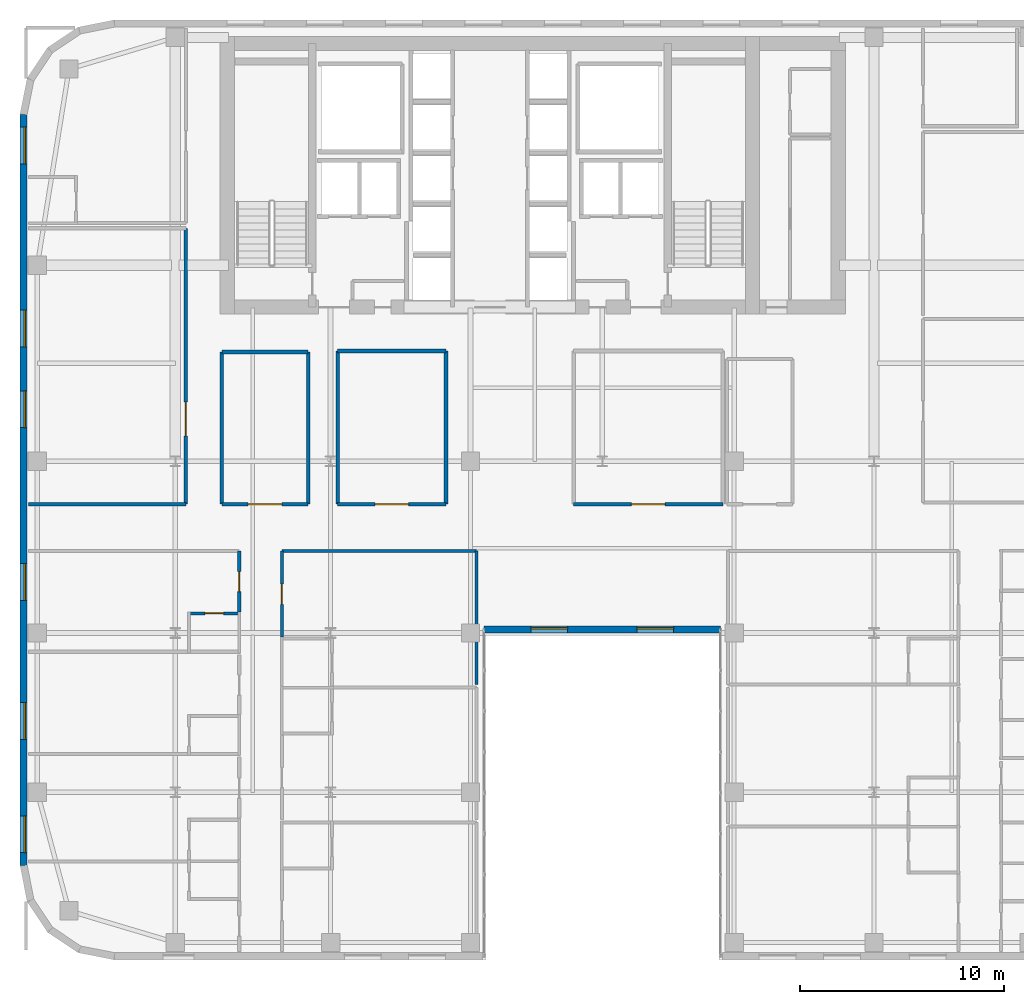
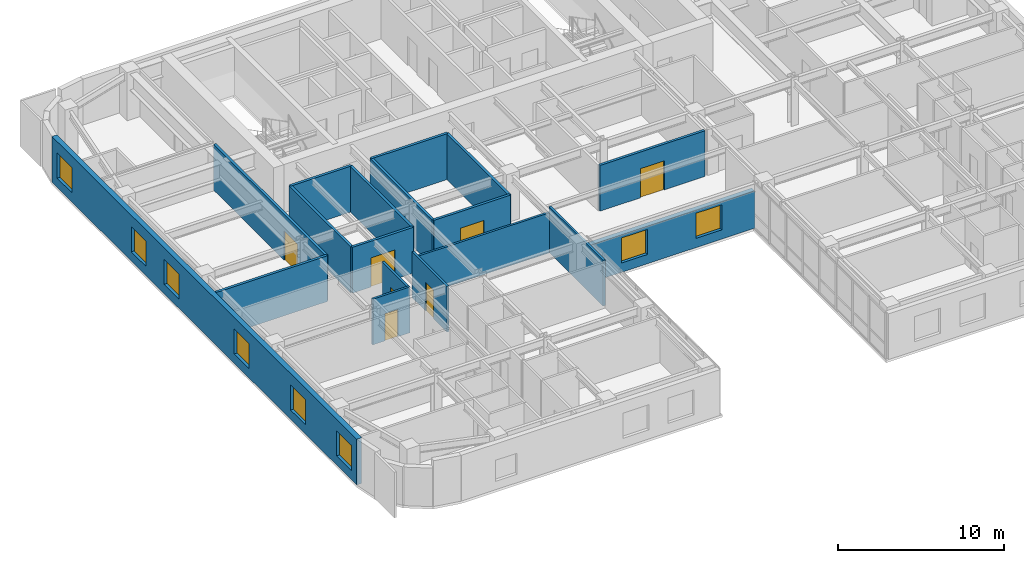
# One storey, part 11 of 17: 18 walls, 8 windows, 7 doors, 15 openings.
"""IFC4 building model written with IfcOpenShell, lengths in metres."""

import ifcopenshell
import ifcopenshell.guid

model = None  # the IFC model being written
_history = None  # IfcOwnerHistory: only IFC2X3 demands one
_inside = {}  # id of a spatial element -> (the spatial element, [elements in it])
_under = {}  # id of a project, library or spatial element -> (it, [spatial elements below it])
_declared = {}  # id of a project -> (the project, [libraries it declares])
_typed = {}  # id of a type object -> (the type object, [elements of that type])
_made_of = {}  # id of a material, layer set ... -> (it, [elements and type objects made of it])


def new_model(schema):
    """Start an empty IFC model of exactly this schema.

    Asked for "IFC4X3", IfcOpenShell would pick the latest addendum, in which some entities
    have other attributes; the version numbers below select the first issue.
    IFC2X3 requires an IfcOwnerHistory on every rooted entity: one is made here for all.
    """
    global model, _history
    if schema == "IFC4X3":
        model = ifcopenshell.file(schema_version=(4, 3, 0, 0))
    else:
        model = ifcopenshell.file(schema=schema)
    _inside.clear()
    _under.clear()
    _declared.clear()
    _typed.clear()
    _made_of.clear()
    _history = None
    if model.schema == "IFC2X3":
        org = make("IfcOrganization", Name="unknown")
        user = make(
            "IfcPersonAndOrganization",
            ThePerson=make("IfcPerson", FamilyName="unknown"),
            TheOrganization=org,
        )
        app = make(
            "IfcApplication",
            ApplicationDeveloper=org,
            Version="unknown",
            ApplicationFullName="unknown",
            ApplicationIdentifier="unknown",
        )
        _history = make(
            "IfcOwnerHistory",
            OwningUser=user,
            OwningApplication=app,
            ChangeAction="ADDED",
            CreationDate=0,
        )
    return model


def make(cls, **values):
    """One entity of the class cls with the attributes given. An attribute that is None is left unset."""
    return model.create_entity(
        cls, **{name: value for name, value in values.items() if value is not None}
    )


def rooted(cls, **values):
    """An entity with a GlobalId (a new one), such as an element, a storey or a relation."""
    return make(cls, GlobalId=ifcopenshell.guid.new(), OwnerHistory=_history, **values)


def si_unit(unit_type, name, prefix=None):
    """IfcSIUnit, for example si_unit("LENGTHUNIT", "METRE", prefix="MILLI")."""
    return make("IfcSIUnit", UnitType=unit_type, Prefix=prefix, Name=name)


def assignment(units):
    """IfcUnitAssignment: the units of a project."""
    return None if units is None else make("IfcUnitAssignment", Units=units)


def point(xyz):
    """IfcCartesianPoint."""
    return None if xyz is None else make("IfcCartesianPoint", Coordinates=xyz)


def direction(xyz):
    """IfcDirection."""
    return None if xyz is None else make("IfcDirection", DirectionRatios=xyz)


def frame(location, z_axis=None, x_axis=None):
    """IfcAxis2Placement3D, a coordinate frame: its origin and axes. An axis left out is left unset."""
    return make(
        "IfcAxis2Placement3D",
        Location=point(location),
        Axis=direction(z_axis),
        RefDirection=direction(x_axis),
    )


def frame_2d(location, x_axis=None):
    """IfcAxis2Placement2D, a coordinate frame in the plane: its origin and x axis."""
    return make(
        "IfcAxis2Placement2D", Location=point(location), RefDirection=direction(x_axis)
    )


def origin():
    """The frame at (0, 0, 0) with its axes left unset."""
    return frame((0.0, 0.0, 0.0))


def place(relative_to, where):
    """IfcLocalPlacement: puts the frame where relative to a parent placement (None: the world)."""
    return make(
        "IfcLocalPlacement", PlacementRelTo=relative_to, RelativePlacement=where
    )


def context(
    kind, dimensions, precision=None, world=None, true_north=None, identifier=None
):
    """IfcGeometricRepresentationContext, for example the 3D "Model" context."""
    return make(
        "IfcGeometricRepresentationContext",
        ContextIdentifier=identifier,
        ContextType=kind,
        CoordinateSpaceDimension=dimensions,
        Precision=precision,
        WorldCoordinateSystem=world,
        TrueNorth=true_north,
    )


def subcontext(parent, identifier, kind, view, scale=None):
    """IfcGeometricRepresentationSubContext, for example "Body" below "Model"."""
    return make(
        "IfcGeometricRepresentationSubContext",
        ContextIdentifier=identifier,
        ContextType=kind,
        ParentContext=parent,
        TargetScale=scale,
        TargetView=view,
    )


def project(units=None, contexts=None):
    """IfcProject with its units and contexts."""
    return rooted(
        "IfcProject",
        Name="project",
        RepresentationContexts=contexts,
        UnitsInContext=assignment(units),
    )


def spatial(cls, under=None, at=None, **own):
    """A site, building, storey or space (cls), placed at a placement, below another one or the project."""
    s = rooted(cls, ObjectPlacement=at, **own)
    if under is not None:
        _under.setdefault(under.id(), (under, []))[1].append(s)
    return s


def profile(cls, at=None, kind="AREA", **sizes):
    """A parametric profile (cls). Its sizes go by their IFC names, for example OverallWidth=200.0."""
    return make(cls, ProfileType=kind, Position=at, **sizes)


def rectangle(**sizes):
    """IfcRectangleProfileDef."""
    return profile("IfcRectangleProfileDef", **sizes)


def extrude(swept, where, along, depth):
    """IfcExtrudedAreaSolid: the profile swept, set in the frame where, extruded along a direction by depth."""
    return make(
        "IfcExtrudedAreaSolid",
        SweptArea=swept,
        Position=where,
        ExtrudedDirection=direction(along),
        Depth=depth,
    )


def shape(context_of_items, identifier, shape_type, items):
    """IfcShapeRepresentation: the items that make up one representation, for example the "Body"."""
    return make(
        "IfcShapeRepresentation",
        ContextOfItems=context_of_items,
        RepresentationIdentifier=identifier,
        RepresentationType=shape_type,
        Items=items,
    )


def source(mapping_origin, context_of_items, identifier, shape_type, items):
    """IfcRepresentationMap: a shape defined once, which mapped items show again and again."""
    return make(
        "IfcRepresentationMap",
        MappingOrigin=mapping_origin,
        MappedRepresentation=shape(context_of_items, identifier, shape_type, items),
    )


def transform(
    local_origin,
    x_axis=None,
    y_axis=None,
    z_axis=None,
    scale=None,
    scale2=None,
    scale3=None,
    uniform=True,
):
    """IfcCartesianTransformationOperator3D, or its non-uniform kind. x_axis, y_axis, z_axis: its Axis1, 2, 3."""
    if uniform:
        return make(
            "IfcCartesianTransformationOperator3D",
            Axis1=direction(x_axis),
            Axis2=direction(y_axis),
            LocalOrigin=point(local_origin),
            Scale=scale,
            Axis3=direction(z_axis),
        )
    return make(
        "IfcCartesianTransformationOperator3DnonUniform",
        Axis1=direction(x_axis),
        Axis2=direction(y_axis),
        LocalOrigin=point(local_origin),
        Scale=scale,
        Axis3=direction(z_axis),
        Scale2=scale2,
        Scale3=scale3,
    )


def mapped(mapping_source, mapping_target):
    """IfcMappedItem: shows the shape of a source again, moved by a transform."""
    return make(
        "IfcMappedItem", MappingSource=mapping_source, MappingTarget=mapping_target
    )


def material(Name=None, Category=None):
    """IfcMaterial."""
    return make("IfcMaterial", Name=Name, Category=Category)


def layer(
    of_material, thickness, ventilated=None, Name=None, Category=None, Priority=None
):
    """IfcMaterialLayer: one layer of a wall or slab, of a material (None: an air gap)."""
    return make(
        "IfcMaterialLayer",
        Material=of_material,
        LayerThickness=thickness,
        IsVentilated=ventilated,
        Name=Name,
        Category=Category,
        Priority=Priority,
    )


def layer_set(layers, Name=None):
    """IfcMaterialLayerSet."""
    return make("IfcMaterialLayerSet", MaterialLayers=layers, LayerSetName=Name)


def made_of(thing, what):
    """Note that an element or type object is made of a material, layer set ...; save() writes the relation."""
    if what is not None:
        _made_of.setdefault(what.id(), (what, []))[1].append(thing)
    return thing


def type_object(cls, material=None, **own):
    """A type object (cls), such as IfcWallType, which elements share."""
    return made_of(rooted(cls, **own), material)


def type_shapes(of_type, sources):
    """Give a type object the sources (RepresentationMaps) that its elements show as mapped items."""
    of_type.RepresentationMaps = sources


def element(
    cls,
    number,
    at=None,
    inside=None,
    cuts=None,
    type_object=None,
    material=None,
    context=None,
    identifier="Body",
    shape_type=None,
    held_by="IfcProductDefinitionShape",
    body=None,
    shapes=None,
    **own,
):
    """One element of the class cls, such as IfcWall. Its Tag is "e" and its number.

    at: its placement. inside: the storey or other place that contains it. cuts: it is an
    opening in that element (IfcRelVoidsElement). A single representation is given by context,
    identifier, shape_type and body (its items); several are given by shapes. held_by: the class
    of the entity that holds the representations. save() writes the other relations.
    """
    e = rooted(cls, Tag="e%d" % number, ObjectPlacement=at, **own)
    if body is not None:
        shapes = [shape(context, identifier, shape_type, body)]
    if shapes is not None:
        e.Representation = make(held_by, Representations=shapes)
    if inside is not None:
        _inside.setdefault(inside.id(), (inside, []))[1].append(e)
    if cuts is not None:
        rooted(
            "IfcRelVoidsElement", RelatingBuildingElement=cuts, RelatedOpeningElement=e
        )
    if type_object is not None:
        _typed.setdefault(type_object.id(), (type_object, []))[1].append(e)
    return made_of(e, material)


def fill(opening, filler):
    """IfcRelFillsElement: the door or window that sits in an opening."""
    return rooted(
        "IfcRelFillsElement",
        RelatingOpeningElement=opening,
        RelatedBuildingElement=filler,
    )


def aggregate(whole, parts):
    """IfcRelAggregates: a whole, such as a stair, and the parts it consists of."""
    return rooted("IfcRelAggregates", RelatingObject=whole, RelatedObjects=parts)


def save(model, path):
    """Write the relations noted so far, then the file.

    IfcRelAggregates (storeys below a building ...), IfcRelContainedInSpatialStructure (elements
    in a storey), IfcRelDefinesByType, IfcRelAssociatesMaterial and IfcRelDeclares: one each for
    every whole, place, type object, material and project.
    """
    for whole, parts in _under.values():
        aggregate(whole, parts)
    for where, things in _inside.values():
        rooted(
            "IfcRelContainedInSpatialStructure",
            RelatedElements=things,
            RelatingStructure=where,
        )
    for kind, things in _typed.values():
        rooted("IfcRelDefinesByType", RelatedObjects=things, RelatingType=kind)
    for what, things in _made_of.values():
        rooted("IfcRelAssociatesMaterial", RelatedObjects=things, RelatingMaterial=what)
    for by, libraries in _declared.values():
        rooted("IfcRelDeclares", RelatingContext=by, RelatedDefinitions=libraries)
    model.write(path)


model = new_model("IFC4")

# Units and contexts
model_context = context("Model", 3, precision=1e-05, world=origin(), true_north=direction((0.0, 1.0)))
body_context = subcontext(model_context, "Body", "Model", "MODEL_VIEW")
ifc_project = project(units=[si_unit("LENGTHUNIT", "METRE"), si_unit("AREAUNIT", "SQUARE_METRE"), si_unit("VOLUMEUNIT", "CUBIC_METRE"), si_unit("PLANEANGLEUNIT", "RADIAN"), si_unit("MASSUNIT", "GRAM", prefix="KILO")], contexts=[model_context])

# Site, building, storey
site_placement = place(None, origin())
site = spatial("IfcSite", under=ifc_project, at=site_placement, CompositionType="ELEMENT")
building_placement = place(site_placement, origin())
building = spatial("IfcBuilding", under=site, at=building_placement, Name="Tolvann Quenvar Hotel", CompositionType="ELEMENT")
storey_placement = place(building_placement, frame((0.0, 0.0, 136.39990234375)))
storey = spatial("IfcBuildingStorey", under=building, at=storey_placement, Name="L35", CompositionType="ELEMENT", Elevation=136.39990234375)

# Wall, openings, windows
ifc_material_1 = material(Name="Kiln-fired red and buff architectural clay brickwork and terracotta masonry", Category="masonry")
ifc_layer_1 = layer(ifc_material_1, 0.35009765625)
ifc_layer_set_1 = layer_set([ifc_layer_1], Name="Kiln-fired red and buff architectural clay brickwork and terracotta masonry")
wall_type_1 = type_object("IfcWallType", Name="WALL_EXT_BRICK_350", PredefinedType="SOLIDWALL", material=ifc_layer_set_1)
wall_1_placement = place(storey_placement, frame((22.7099609375, 16.175048828125, 0.0), z_axis=(0.0, 0.0, 1.0), x_axis=(1.0, 0.0, 0.0)))
wall_1 = element("IfcWall", 1, at=wall_1_placement, inside=storey, type_object=wall_type_1, Name="Exterior Chicago Brick Wall L35-E06", PredefinedType="SOLIDWALL", context=body_context, shape_type="SweptSolid", body=[
    extrude(rectangle(XDim=11.580078125, YDim=0.35009765625, at=frame_2d((5.7900390625, 0.0))), origin(), (0.0, 0.0, 1.0), 2.748046875),
])
opening_1_placement = place(wall_1_placement, frame((2.294921875, 0.0, 0.679931640625)))
opening_1 = element("IfcOpeningElement", 2, at=opening_1_placement, cuts=wall_1, Name="Opening W-03", PredefinedType="OPENING", context=body_context, shape_type="SweptSolid", body=[
    extrude(rectangle(XDim=1.800048828125, YDim=1.85009765625, at=frame_2d((0.89990234375, 0.925048828125))), frame((0.0, 0.18505859375, 0.0), z_axis=(0.0, -1.0, 0.0), x_axis=(1.0, 0.0, 0.0)), (0.0, 0.0, 1.0), 0.3701171875),
])
opening_2_placement = place(wall_1_placement, frame((7.485107421875, 0.0, 0.679931640625)))
opening_2 = element("IfcOpeningElement", 3, at=opening_2_placement, cuts=wall_1, Name="Opening W-03", PredefinedType="OPENING", context=body_context, shape_type="SweptSolid", body=[
    extrude(rectangle(XDim=1.800048828125, YDim=1.85009765625, at=frame_2d((0.89990234375, 0.925048828125))), frame((0.0, 0.18505859375, 0.0), z_axis=(0.0, -1.0, 0.0), x_axis=(1.0, 0.0, 0.0)), (0.0, 0.0, 1.0), 0.3701171875),
])
ifc_material_2 = material(Name="Thermally broken bronze-anodised aluminium frame with double low-E glazing", Category="aluminium")
window_type = type_object("IfcWindowType", Name="WIN_CHI_1800x2050", PartitioningType="TRIPLE_PANEL_HORIZONTAL", PredefinedType="WINDOW", material=ifc_material_2)
shared_shape_1 = source(origin(), body_context, "Body", "SweptSolid", [
    extrude(rectangle(XDim=1.800048828125, YDim=1.85009765625, at=frame_2d((0.89990234375, 0.925048828125))), frame((0.0, 0.090087890625, 0.0), z_axis=(0.0, -1.0, 0.0), x_axis=(1.0, 0.0, 0.0)), (0.0, 0.0, 1.0), 0.06005859375),
])
type_shapes(window_type, [shared_shape_1])
window_1_placement = place(opening_1_placement, origin())
window_1 = element("IfcWindow", 4, at=window_1_placement, inside=storey, type_object=window_type, Name="Chicago Window W-03 (EW-L35-E06-W01)", OverallHeight=1.85009765625, OverallWidth=1.800048828125, PartitioningType="TRIPLE_PANEL_HORIZONTAL", PredefinedType="WINDOW", context=body_context, shape_type="MappedRepresentation", body=[
    mapped(shared_shape_1, transform((0.0, 0.0, 0.0), x_axis=(1.0, 0.0, 0.0), y_axis=(0.0, 1.0, 0.0), z_axis=(0.0, 0.0, 1.0), scale=1.0)),
])
fill(opening_1, window_1)
window_2_placement = place(opening_2_placement, origin())
window_2 = element("IfcWindow", 5, at=window_2_placement, inside=storey, type_object=window_type, Name="Chicago Window W-03 (EW-L35-E06-W02)", OverallHeight=1.85009765625, OverallWidth=1.800048828125, PartitioningType="TRIPLE_PANEL_HORIZONTAL", PredefinedType="WINDOW", context=body_context, shape_type="MappedRepresentation", body=[
    mapped(shared_shape_1, transform((0.0, 0.0, 0.0), x_axis=(1.0, 0.0, 0.0), y_axis=(0.0, 1.0, 0.0), z_axis=(0.0, 0.0, 1.0), scale=1.0)),
])
fill(opening_2, window_2)

wall_2_placement = place(storey_placement, frame((0.175048828125, 41.3828125, 0.0), z_axis=(0.0, 0.0, 1.0), x_axis=(0.0, -1.0, 0.0)))
wall_2 = element("IfcWall", 6, at=wall_2_placement, inside=storey, type_object=wall_type_1, Name="Exterior Chicago Brick Wall L35-E23", PredefinedType="SOLIDWALL", context=body_context, shape_type="SweptSolid", body=[
    extrude(rectangle(XDim=36.765625, YDim=0.35009765625, at=frame_2d((18.3828125, 0.0))), origin(), (0.0, 0.0, 1.0), 3.3701171875),
])
opening_3_placement = place(wall_2_placement, frame((0.6259765625, 0.0, 0.679931640625)))
opening_3 = element("IfcOpeningElement", 7, at=opening_3_placement, cuts=wall_2, Name="Opening W-03", PredefinedType="OPENING", context=body_context, shape_type="SweptSolid", body=[
    extrude(rectangle(XDim=1.800048828125, YDim=1.85009765625, at=frame_2d((0.89990234375, 0.925048828125))), frame((0.0, 0.18505859375, 0.0), z_axis=(0.0, -1.0, 0.0), x_axis=(1.0, 0.0, 0.0)), (0.0, 0.0, 1.0), 0.3701171875),
])
opening_4_placement = place(wall_2_placement, frame((9.5791015625, 0.0, 0.679931640625)))
opening_4 = element("IfcOpeningElement", 8, at=opening_4_placement, cuts=wall_2, Name="Opening W-03", PredefinedType="OPENING", context=body_context, shape_type="SweptSolid", body=[
    extrude(rectangle(XDim=1.800048828125, YDim=1.85009765625, at=frame_2d((0.89990234375, 0.925048828125))), frame((0.0, 0.18505859375, 0.0), z_axis=(0.0, -1.0, 0.0), x_axis=(1.0, 0.0, 0.0)), (0.0, 0.0, 1.0), 0.3701171875),
])
opening_5_placement = place(wall_2_placement, frame((13.531005859375, 0.0, 0.679931640625)))
opening_5 = element("IfcOpeningElement", 9, at=opening_5_placement, cuts=wall_2, Name="Opening W-03", PredefinedType="OPENING", context=body_context, shape_type="SweptSolid", body=[
    extrude(rectangle(XDim=1.800048828125, YDim=1.85009765625, at=frame_2d((0.89990234375, 0.925048828125))), frame((0.0, 0.18505859375, 0.0), z_axis=(0.0, -1.0, 0.0), x_axis=(1.0, 0.0, 0.0)), (0.0, 0.0, 1.0), 0.3701171875),
])
opening_6_placement = place(wall_2_placement, frame((21.985107421875, 0.0, 0.679931640625)))
opening_6 = element("IfcOpeningElement", 10, at=opening_6_placement, cuts=wall_2, Name="Opening W-03", PredefinedType="OPENING", context=body_context, shape_type="SweptSolid", body=[
    extrude(rectangle(XDim=1.800048828125, YDim=1.85009765625, at=frame_2d((0.89990234375, 0.925048828125))), frame((0.0, 0.18505859375, 0.0), z_axis=(0.0, -1.0, 0.0), x_axis=(1.0, 0.0, 0.0)), (0.0, 0.0, 1.0), 0.3701171875),
])
opening_7_placement = place(wall_2_placement, frame((28.7880859375, 0.0, 0.679931640625)))
opening_7 = element("IfcOpeningElement", 11, at=opening_7_placement, cuts=wall_2, Name="Opening W-03", PredefinedType="OPENING", context=body_context, shape_type="SweptSolid", body=[
    extrude(rectangle(XDim=1.800048828125, YDim=1.85009765625, at=frame_2d((0.89990234375, 0.925048828125))), frame((0.0, 0.18505859375, 0.0), z_axis=(0.0, -1.0, 0.0), x_axis=(1.0, 0.0, 0.0)), (0.0, 0.0, 1.0), 0.3701171875),
])
opening_8_placement = place(wall_2_placement, frame((34.340087890625, 0.0, 0.679931640625)))
opening_8 = element("IfcOpeningElement", 12, at=opening_8_placement, cuts=wall_2, Name="Opening W-03", PredefinedType="OPENING", context=body_context, shape_type="SweptSolid", body=[
    extrude(rectangle(XDim=1.800048828125, YDim=1.85009765625, at=frame_2d((0.89990234375, 0.925048828125))), frame((0.0, 0.18505859375, 0.0), z_axis=(0.0, -1.0, 0.0), x_axis=(1.0, 0.0, 0.0)), (0.0, 0.0, 1.0), 0.3701171875),
])
window_3_placement = place(opening_3_placement, origin())
window_3 = element("IfcWindow", 13, at=window_3_placement, inside=storey, type_object=window_type, Name="Chicago Window W-03 (EW-L35-E23-W01)", OverallHeight=1.85009765625, OverallWidth=1.800048828125, PartitioningType="TRIPLE_PANEL_HORIZONTAL", PredefinedType="WINDOW", context=body_context, shape_type="MappedRepresentation", body=[
    mapped(shared_shape_1, transform((0.0, 0.0, 0.0), x_axis=(1.0, 0.0, 0.0), y_axis=(0.0, 1.0, 0.0), z_axis=(0.0, 0.0, 1.0), scale=1.0)),
])
fill(opening_3, window_3)
window_4_placement = place(opening_4_placement, origin())
window_4 = element("IfcWindow", 14, at=window_4_placement, inside=storey, type_object=window_type, Name="Chicago Window W-03 (EW-L35-E23-W02)", OverallHeight=1.85009765625, OverallWidth=1.800048828125, PartitioningType="TRIPLE_PANEL_HORIZONTAL", PredefinedType="WINDOW", context=body_context, shape_type="MappedRepresentation", body=[
    mapped(shared_shape_1, transform((0.0, 0.0, 0.0), x_axis=(1.0, 0.0, 0.0), y_axis=(0.0, 1.0, 0.0), z_axis=(0.0, 0.0, 1.0), scale=1.0)),
])
fill(opening_4, window_4)
window_5_placement = place(opening_5_placement, origin())
window_5 = element("IfcWindow", 15, at=window_5_placement, inside=storey, type_object=window_type, Name="Chicago Window W-03 (EW-L35-E23-W03)", OverallHeight=1.85009765625, OverallWidth=1.800048828125, PartitioningType="TRIPLE_PANEL_HORIZONTAL", PredefinedType="WINDOW", context=body_context, shape_type="MappedRepresentation", body=[
    mapped(shared_shape_1, transform((0.0, 0.0, 0.0), x_axis=(1.0, 0.0, 0.0), y_axis=(0.0, 1.0, 0.0), z_axis=(0.0, 0.0, 1.0), scale=1.0)),
])
fill(opening_5, window_5)
window_6_placement = place(opening_6_placement, origin())
window_6 = element("IfcWindow", 16, at=window_6_placement, inside=storey, type_object=window_type, Name="Chicago Window W-03 (EW-L35-E23-W04)", OverallHeight=1.85009765625, OverallWidth=1.800048828125, PartitioningType="TRIPLE_PANEL_HORIZONTAL", PredefinedType="WINDOW", context=body_context, shape_type="MappedRepresentation", body=[
    mapped(shared_shape_1, transform((0.0, 0.0, 0.0), x_axis=(1.0, 0.0, 0.0), y_axis=(0.0, 1.0, 0.0), z_axis=(0.0, 0.0, 1.0), scale=1.0)),
])
fill(opening_6, window_6)
window_7_placement = place(opening_7_placement, origin())
window_7 = element("IfcWindow", 17, at=window_7_placement, inside=storey, type_object=window_type, Name="Chicago Window W-03 (EW-L35-E23-W05)", OverallHeight=1.85009765625, OverallWidth=1.800048828125, PartitioningType="TRIPLE_PANEL_HORIZONTAL", PredefinedType="WINDOW", context=body_context, shape_type="MappedRepresentation", body=[
    mapped(shared_shape_1, transform((0.0, 0.0, 0.0), x_axis=(1.0, 0.0, 0.0), y_axis=(0.0, 1.0, 0.0), z_axis=(0.0, 0.0, 1.0), scale=1.0)),
])
fill(opening_7, window_7)
window_8_placement = place(opening_8_placement, origin())
window_8 = element("IfcWindow", 18, at=window_8_placement, inside=storey, type_object=window_type, Name="Chicago Window W-03 (EW-L35-E23-W06)", OverallHeight=1.85009765625, OverallWidth=1.800048828125, PartitioningType="TRIPLE_PANEL_HORIZONTAL", PredefinedType="WINDOW", context=body_context, shape_type="MappedRepresentation", body=[
    mapped(shared_shape_1, transform((0.0, 0.0, 0.0), x_axis=(1.0, 0.0, 0.0), y_axis=(0.0, 1.0, 0.0), z_axis=(0.0, 0.0, 1.0), scale=1.0)),
])
fill(opening_8, window_8)

# Wall, opening, door
ifc_material_3 = material(Name="Acoustic twin-stud fire-rated gypsum plasterboard partition")
ifc_layer_2 = layer(ifc_material_3, 0.179931640625)
ifc_layer_set_2 = layer_set([ifc_layer_2], Name="Acoustic twin-stud fire-rated gypsum plasterboard partition")
wall_type_2 = type_object("IfcWallType", Name="WALL_PART_ACOUSTIC_180", PredefinedType="PARTITIONING", material=ifc_layer_set_2)
wall_3_placement = place(storey_placement, frame((8.1201171875, 22.300048828125, 0.0), z_axis=(0.0, 0.0, 1.0), x_axis=(0.0, 1.0, 0.0)))
wall_3 = element("IfcWall", 19, at=wall_3_placement, inside=storey, type_object=wall_type_2, Name="Interior Partition PT-SPC-L35-SAL-ENT", PredefinedType="PARTITIONING", context=body_context, shape_type="SweptSolid", body=[
    extrude(rectangle(XDim=13.5, YDim=0.179931640625, at=frame_2d((6.75, 0.0))), origin(), (0.0, 0.0, 1.0), 3.3701171875),
])
opening_9_placement = place(wall_3_placement, frame((3.35009765625, 0.0, 0.0)))
opening_9 = element("IfcOpeningElement", 20, at=opening_9_placement, cuts=wall_3, Name="Opening AD-01", PredefinedType="OPENING", context=body_context, shape_type="SweptSolid", body=[
    extrude(rectangle(XDim=1.64990234375, YDim=2.14990234375, at=frame_2d((0.824951171875, 1.074951171875))), frame((0.0, 0.10009765625, 0.0), z_axis=(0.0, -1.0, 0.0), x_axis=(1.0, 0.0, 0.0)), (0.0, 0.0, 1.0), 0.199951171875),
])
ifc_material_4 = material(Name="Solid-core American oak acoustic fire door leaf in steel frame", Category="steel")
door_type_1 = type_object("IfcDoorType", Name="DOOR_SALON_1650", OperationType="NOTDEFINED", PredefinedType="DOOR", material=ifc_material_4)
shared_shape_2 = source(origin(), body_context, "Body", "SweptSolid", [
    extrude(rectangle(XDim=1.64990234375, YDim=2.14990234375, at=frame_2d((0.824951171875, 1.074951171875))), frame((0.0, 0.02490234375, 0.0), z_axis=(0.0, -1.0, 0.0), x_axis=(1.0, 0.0, 0.0)), (0.0, 0.0, 1.0), 0.050048828125),
])
type_shapes(door_type_1, [shared_shape_2])
door_1_placement = place(opening_9_placement, origin())
door_1 = element("IfcDoor", 21, at=door_1_placement, inside=storey, type_object=door_type_1, Name="Interior Door DOOR-SPC-L35-SAL", OperationType="DOUBLE_DOOR_SINGLE_SWING", OverallHeight=2.14990234375, OverallWidth=1.64990234375, PredefinedType="DOOR", context=body_context, shape_type="MappedRepresentation", body=[
    mapped(shared_shape_2, transform((0.0, 0.0, 0.0), x_axis=(1.0, 0.0, 0.0), y_axis=(0.0, 1.0, 0.0), z_axis=(0.0, 0.0, 1.0), scale=1.0)),
])
fill(opening_9, door_1)

# Wall
wall_4_placement = place(storey_placement, frame((0.405029296875, 22.300048828125, 0.0), z_axis=(0.0, 0.0, 1.0), x_axis=(1.0, 0.0, 0.0)))
element("IfcWall", 22, at=wall_4_placement, inside=storey, type_object=wall_type_2, Name="Interior Partition PT-SPC-L35-SAL-S", PredefinedType="PARTITIONING", context=body_context, shape_type="SweptSolid", body=[
    extrude(rectangle(XDim=7.715087890625, YDim=0.179931640625, at=frame_2d((3.857421875, 0.0))), origin(), (0.0, 0.0, 1.0), 3.3701171875),
])

# Wall, opening, door
wall_5_placement = place(storey_placement, frame((9.8798828125, 22.300048828125, 0.0), z_axis=(0.0, 0.0, 1.0), x_axis=(1.0, 0.0, 0.0)))
wall_5 = element("IfcWall", 23, at=wall_5_placement, inside=storey, type_object=wall_type_2, Name="Interior Partition PT-SPC-L35-MSP-W-S", PredefinedType="PARTITIONING", context=body_context, shape_type="SweptSolid", body=[
    extrude(rectangle(XDim=4.22021484375, YDim=0.179931640625, at=frame_2d((2.110107421875, 0.0))), origin(), (0.0, 0.0, 1.0), 3.3701171875),
])
opening_10_placement = place(wall_5_placement, frame((1.284912109375, 0.0, 0.0)))
opening_10 = element("IfcOpeningElement", 24, at=opening_10_placement, cuts=wall_5, Name="Opening AD-01", PredefinedType="OPENING", context=body_context, shape_type="SweptSolid", body=[
    extrude(rectangle(XDim=1.64990234375, YDim=2.14990234375, at=frame_2d((0.824951171875, 1.074951171875))), frame((0.0, 0.10009765625, 0.0), z_axis=(0.0, -1.0, 0.0), x_axis=(1.0, 0.0, 0.0)), (0.0, 0.0, 1.0), 0.199951171875),
])
door_2_placement = place(opening_10_placement, origin())
door_2 = element("IfcDoor", 25, at=door_2_placement, inside=storey, type_object=door_type_1, Name="Interior Door DOOR-SPC-L35-MSP-W", OperationType="DOUBLE_DOOR_SINGLE_SWING", OverallHeight=2.14990234375, OverallWidth=1.64990234375, PredefinedType="DOOR", context=body_context, shape_type="MappedRepresentation", body=[
    mapped(shared_shape_2, transform((0.0, 0.0, 0.0), x_axis=(1.0, 0.0, 0.0), y_axis=(0.0, 1.0, 0.0), z_axis=(0.0, 0.0, 1.0), scale=1.0)),
])
fill(opening_10, door_2)

# Walls
wall_6_placement = place(storey_placement, frame((9.8798828125, 29.75, 0.0), z_axis=(0.0, 0.0, 1.0), x_axis=(1.0, 0.0, 0.0)))
element("IfcWall", 26, at=wall_6_placement, inside=storey, type_object=wall_type_2, Name="Interior Partition PT-SPC-L35-MSP-W-N", PredefinedType="PARTITIONING", context=body_context, shape_type="SweptSolid", body=[
    extrude(rectangle(XDim=4.22021484375, YDim=0.179931640625, at=frame_2d((2.110107421875, 0.0))), origin(), (0.0, 0.0, 1.0), 3.3701171875),
])
for number, where, z_axis, x_axis, name in (
    (27, (9.8798828125, 22.300048828125, 0.0), (0.0, 0.0, 1.0), (0.0, 1.0, 0.0), "Interior Partition PT-SPC-L35-MSP-W-W"),
    (28, (14.10009765625, 22.300048828125, 0.0), (0.0, 0.0, 1.0), (0.0, 1.0, 0.0), "Interior Partition PT-SPC-L35-MSP-W-E"),
):
    element("IfcWall", number, at=place(storey_placement, frame(where, z_axis=z_axis, x_axis=x_axis)), inside=storey, type_object=wall_type_2, Name=name, PredefinedType="PARTITIONING", context=body_context, shape_type="SweptSolid", body=[
        extrude(rectangle(XDim=7.449951171875, YDim=0.179931640625, at=frame_2d((3.72509765625, 0.0))), origin(), (0.0, 0.0, 1.0), 3.3701171875),
    ])

# Wall, opening, door
wall_7_placement = place(storey_placement, frame((27.10009765625, 22.300048828125, 0.0), z_axis=(0.0, 0.0, 1.0), x_axis=(1.0, 0.0, 0.0)))
wall_7 = element("IfcWall", 29, at=wall_7_placement, inside=storey, type_object=wall_type_2, Name="Interior Partition PT-SPC-L35-MSP-C-S", PredefinedType="PARTITIONING", context=body_context, shape_type="SweptSolid", body=[
    extrude(rectangle(XDim=7.2998046875, YDim=0.179931640625, at=frame_2d((3.64990234375, 0.0))), origin(), (0.0, 0.0, 1.0), 3.3701171875),
])
opening_11_placement = place(wall_7_placement, frame((2.824951171875, 0.0, 0.0)))
opening_11 = element("IfcOpeningElement", 30, at=opening_11_placement, cuts=wall_7, Name="Opening AD-01", PredefinedType="OPENING", context=body_context, shape_type="SweptSolid", body=[
    extrude(rectangle(XDim=1.64990234375, YDim=2.14990234375, at=frame_2d((0.824951171875, 1.074951171875))), frame((0.0, 0.10009765625, 0.0), z_axis=(0.0, -1.0, 0.0), x_axis=(1.0, 0.0, 0.0)), (0.0, 0.0, 1.0), 0.199951171875),
])
door_3_placement = place(opening_11_placement, origin())
door_3 = element("IfcDoor", 31, at=door_3_placement, inside=storey, type_object=door_type_1, Name="Interior Door DOOR-SPC-L35-MSP-C", OperationType="DOUBLE_DOOR_SINGLE_SWING", OverallHeight=2.14990234375, OverallWidth=1.64990234375, PredefinedType="DOOR", context=body_context, shape_type="MappedRepresentation", body=[
    mapped(shared_shape_2, transform((0.0, 0.0, 0.0), x_axis=(1.0, 0.0, 0.0), y_axis=(0.0, 1.0, 0.0), z_axis=(0.0, 0.0, 1.0), scale=1.0)),
])
fill(opening_11, door_3)

wall_8_placement = place(storey_placement, frame((15.550048828125, 22.300048828125, 0.0), z_axis=(0.0, 0.0, 1.0), x_axis=(1.0, 0.0, 0.0)))
wall_8 = element("IfcWall", 32, at=wall_8_placement, inside=storey, type_object=wall_type_2, Name="Interior Partition PT-SPC-L35-MSP-N-S", PredefinedType="PARTITIONING", context=body_context, shape_type="SweptSolid", body=[
    extrude(rectangle(XDim=5.300048828125, YDim=0.179931640625, at=frame_2d((2.64990234375, 0.0))), origin(), (0.0, 0.0, 1.0), 3.3701171875),
])
opening_12_placement = place(wall_8_placement, frame((1.824951171875, 0.0, 0.0)))
opening_12 = element("IfcOpeningElement", 33, at=opening_12_placement, cuts=wall_8, Name="Opening AD-01", PredefinedType="OPENING", context=body_context, shape_type="SweptSolid", body=[
    extrude(rectangle(XDim=1.64990234375, YDim=2.14990234375, at=frame_2d((0.824951171875, 1.074951171875))), frame((0.0, 0.10009765625, 0.0), z_axis=(0.0, -1.0, 0.0), x_axis=(1.0, 0.0, 0.0)), (0.0, 0.0, 1.0), 0.199951171875),
])
door_4_placement = place(opening_12_placement, origin())
door_4 = element("IfcDoor", 34, at=door_4_placement, inside=storey, type_object=door_type_1, Name="Interior Door DOOR-SPC-L35-MSP-N", OperationType="DOUBLE_DOOR_SINGLE_SWING", OverallHeight=2.14990234375, OverallWidth=1.64990234375, PredefinedType="DOOR", context=body_context, shape_type="MappedRepresentation", body=[
    mapped(shared_shape_2, transform((0.0, 0.0, 0.0), x_axis=(1.0, 0.0, 0.0), y_axis=(0.0, 1.0, 0.0), z_axis=(0.0, 0.0, 1.0), scale=1.0)),
])
fill(opening_12, door_4)

# Walls
wall_9_placement = place(storey_placement, frame((15.550048828125, 29.800048828125, 0.0), z_axis=(0.0, 0.0, 1.0), x_axis=(1.0, 0.0, 0.0)))
element("IfcWall", 35, at=wall_9_placement, inside=storey, type_object=wall_type_2, Name="Interior Partition PT-SPC-L35-MSP-N-N", PredefinedType="PARTITIONING", context=body_context, shape_type="SweptSolid", body=[
    extrude(rectangle(XDim=5.300048828125, YDim=0.179931640625, at=frame_2d((2.64990234375, 0.0))), origin(), (0.0, 0.0, 1.0), 3.3701171875),
])
for number, where, z_axis, x_axis, name in (
    (36, (15.550048828125, 22.300048828125, 0.0), (0.0, 0.0, 1.0), (0.0, 1.0, 0.0), "Interior Partition PT-SPC-L35-MSP-N-W"),
    (37, (20.85009765625, 22.300048828125, 0.0), (0.0, 0.0, 1.0), (0.0, 1.0, 0.0), "Interior Partition PT-SPC-L35-MSP-N-E"),
):
    element("IfcWall", number, at=place(storey_placement, frame(where, z_axis=z_axis, x_axis=x_axis)), inside=storey, type_object=wall_type_2, Name=name, PredefinedType="PARTITIONING", context=body_context, shape_type="SweptSolid", body=[
        extrude(rectangle(XDim=7.5, YDim=0.179931640625, at=frame_2d((3.75, 0.0))), origin(), (0.0, 0.0, 1.0), 3.3701171875),
    ])

# Wall, opening, door
ifc_layer_3 = layer(ifc_material_3, 0.14990234375)
ifc_layer_set_3 = layer_set([ifc_layer_3], Name="Acoustic twin-stud fire-rated gypsum plasterboard partition")
wall_type_3 = type_object("IfcWallType", Name="WALL_PART_SUITE_150", PredefinedType="PARTITIONING", material=ifc_layer_set_3)
wall_10_placement = place(storey_placement, frame((8.2099609375, 16.95703125, 0.0), z_axis=(0.0, 0.0, 1.0), x_axis=(1.0, 0.0, 0.0)))
wall_10 = element("IfcWall", 38, at=wall_10_placement, inside=storey, type_object=wall_type_3, Name="Interior Partition PT-SPC-L35-ENS-WO04-N", PredefinedType="PARTITIONING", context=body_context, shape_type="SweptSolid", body=[
    extrude(rectangle(XDim=2.590087890625, YDim=0.14990234375, at=frame_2d((1.294921875, 0.0))), origin(), (0.0, 0.0, 1.0), 3.3701171875),
])
opening_13_placement = place(wall_10_placement, frame((0.8349609375, 0.0, 0.0)))
opening_13 = element("IfcOpeningElement", 39, at=opening_13_placement, cuts=wall_10, Name="Opening WD-01", PredefinedType="OPENING", context=body_context, shape_type="SweptSolid", body=[
    extrude(rectangle(XDim=0.919921875, YDim=2.010009765625, at=frame_2d((0.4599609375, 1.0048828125))), frame((0.0, 0.0849609375, 0.0), z_axis=(0.0, -1.0, 0.0), x_axis=(1.0, 0.0, 0.0)), (0.0, 0.0, 1.0), 0.169921875),
])
door_type_2 = type_object("IfcDoorType", Name="DOOR_WC_920", OperationType="NOTDEFINED", PredefinedType="DOOR", material=ifc_material_4)
shared_shape_3 = source(origin(), body_context, "Body", "SweptSolid", [
    extrude(rectangle(XDim=0.919921875, YDim=2.010009765625, at=frame_2d((0.4599609375, 1.0048828125))), frame((0.0, 0.02490234375, 0.0), z_axis=(0.0, -1.0, 0.0), x_axis=(1.0, 0.0, 0.0)), (0.0, 0.0, 1.0), 0.050048828125),
])
type_shapes(door_type_2, [shared_shape_3])
door_5_placement = place(opening_13_placement, origin())
door_5 = element("IfcDoor", 40, at=door_5_placement, inside=storey, type_object=door_type_2, Name="Interior Door DOOR-SPC-L35-ENS-WO04", OperationType="SINGLE_SWING_RIGHT", OverallHeight=2.010009765625, OverallWidth=0.919921875, PredefinedType="DOOR", context=body_context, shape_type="MappedRepresentation", body=[
    mapped(shared_shape_3, transform((0.0, 0.0, 0.0), x_axis=(1.0, 0.0, 0.0), y_axis=(0.0, 1.0, 0.0), z_axis=(0.0, 0.0, 1.0), scale=1.0)),
])
fill(opening_13, door_5)

wall_11_placement = place(storey_placement, frame((10.72998046875, 17.037109375, 0.0), z_axis=(0.0, 0.0, 1.0), x_axis=(0.0, 1.0, 0.0)))
wall_11 = element("IfcWall", 41, at=wall_11_placement, inside=storey, type_object=wall_type_3, Name="Interior Partition PT-SPC-L35-RM-WO04-ENT", PredefinedType="PARTITIONING", context=body_context, shape_type="SweptSolid", body=[
    extrude(rectangle(XDim=2.98291015625, YDim=0.14990234375, at=frame_2d((1.491455078125, 0.0))), origin(), (0.0, 0.0, 1.0), 3.3701171875),
])
opening_14_placement = place(wall_11_placement, frame((0.9814453125, 0.0, 0.0)))
opening_14 = element("IfcOpeningElement", 42, at=opening_14_placement, cuts=wall_11, Name="Opening SD-01", PredefinedType="OPENING", context=body_context, shape_type="SweptSolid", body=[
    extrude(rectangle(XDim=0.97998046875, YDim=2.1201171875, at=frame_2d((0.489990234375, 1.06005859375))), frame((0.0, 0.0849609375, 0.0), z_axis=(0.0, -1.0, 0.0), x_axis=(1.0, 0.0, 0.0)), (0.0, 0.0, 1.0), 0.169921875),
])
door_type_3 = type_object("IfcDoorType", Name="DOOR_SUITE_980", OperationType="NOTDEFINED", PredefinedType="DOOR", material=ifc_material_4)
shared_shape_4 = source(origin(), body_context, "Body", "SweptSolid", [
    extrude(rectangle(XDim=0.97998046875, YDim=2.1201171875, at=frame_2d((0.489990234375, 1.06005859375))), frame((0.0, 0.02490234375, 0.0), z_axis=(0.0, -1.0, 0.0), x_axis=(1.0, 0.0, 0.0)), (0.0, 0.0, 1.0), 0.050048828125),
])
type_shapes(door_type_3, [shared_shape_4])
door_6_placement = place(opening_14_placement, origin())
door_6 = element("IfcDoor", 43, at=door_6_placement, inside=storey, type_object=door_type_3, Name="Interior Door DOOR-SPC-L35-RM-WO04", OperationType="SINGLE_SWING_LEFT", OverallHeight=2.1201171875, OverallWidth=0.97998046875, PredefinedType="DOOR", context=body_context, shape_type="MappedRepresentation", body=[
    mapped(shared_shape_4, transform((0.0, 0.0, 0.0), x_axis=(1.0, 0.0, 0.0), y_axis=(0.0, 1.0, 0.0), z_axis=(0.0, 0.0, 1.0), scale=1.0)),
])
fill(opening_14, door_6)

wall_12_placement = place(storey_placement, frame((12.820068359375, 15.81005859375, 0.0), z_axis=(0.0, 0.0, 1.0), x_axis=(0.0, 1.0, 0.0)))
wall_12 = element("IfcWall", 44, at=wall_12_placement, inside=storey, type_object=wall_type_3, Name="Interior Partition PT-SPC-L35-RM-WI03-ENT", PredefinedType="PARTITIONING", context=body_context, shape_type="SweptSolid", body=[
    extrude(rectangle(XDim=4.2099609375, YDim=0.14990234375, at=frame_2d((2.10498046875, 0.0))), origin(), (0.0, 0.0, 1.0), 3.3701171875),
])
opening_15_placement = place(wall_12_placement, frame((1.594970703125, 0.0, 0.0)))
opening_15 = element("IfcOpeningElement", 45, at=opening_15_placement, cuts=wall_12, Name="Opening SD-01", PredefinedType="OPENING", context=body_context, shape_type="SweptSolid", body=[
    extrude(rectangle(XDim=0.97998046875, YDim=2.1201171875, at=frame_2d((0.489990234375, 1.06005859375))), frame((0.0, 0.0849609375, 0.0), z_axis=(0.0, -1.0, 0.0), x_axis=(1.0, 0.0, 0.0)), (0.0, 0.0, 1.0), 0.169921875),
])
door_7_placement = place(opening_15_placement, origin())
door_7 = element("IfcDoor", 46, at=door_7_placement, inside=storey, type_object=door_type_3, Name="Interior Door DOOR-SPC-L35-RM-WI03", OperationType="SINGLE_SWING_RIGHT", OverallHeight=2.1201171875, OverallWidth=0.97998046875, PredefinedType="DOOR", context=body_context, shape_type="MappedRepresentation", body=[
    mapped(shared_shape_4, transform((0.0, 0.0, 0.0), x_axis=(1.0, 0.0, 0.0), y_axis=(0.0, 1.0, 0.0), z_axis=(0.0, 0.0, 1.0), scale=1.0)),
])
fill(opening_15, door_7)

# Walls
wall_13_placement = place(storey_placement, frame((22.35009765625, 13.47998046875, 0.0), z_axis=(0.0, 0.0, 1.0), x_axis=(0.0, 1.0, 0.0)))
element("IfcWall", 47, at=wall_13_placement, inside=storey, type_object=wall_type_3, Name="Interior Partition PT-SPC-L35-RM-WI03-E4", PredefinedType="PARTITIONING", context=body_context, shape_type="SweptSolid", body=[
    extrude(rectangle(XDim=6.5400390625, YDim=0.14990234375, at=frame_2d((3.27001953125, 0.0))), origin(), (0.0, 0.0, 1.0), 3.3701171875),
])
wall_14_placement = place(storey_placement, frame((12.820068359375, 20.02001953125, 0.0), z_axis=(0.0, 0.0, 1.0), x_axis=(1.0, 0.0, 0.0)))
element("IfcWall", 48, at=wall_14_placement, inside=storey, type_object=wall_type_3, Name="Interior Partition PT-SPC-L35-RM-WI03-E5", PredefinedType="PARTITIONING", context=body_context, shape_type="SweptSolid", body=[
    extrude(rectangle(XDim=9.530029296875, YDim=0.14990234375, at=frame_2d((4.76513671875, 0.0))), origin(), (0.0, 0.0, 1.0), 2.9541015625),
])

save(model, "model.ifc")
